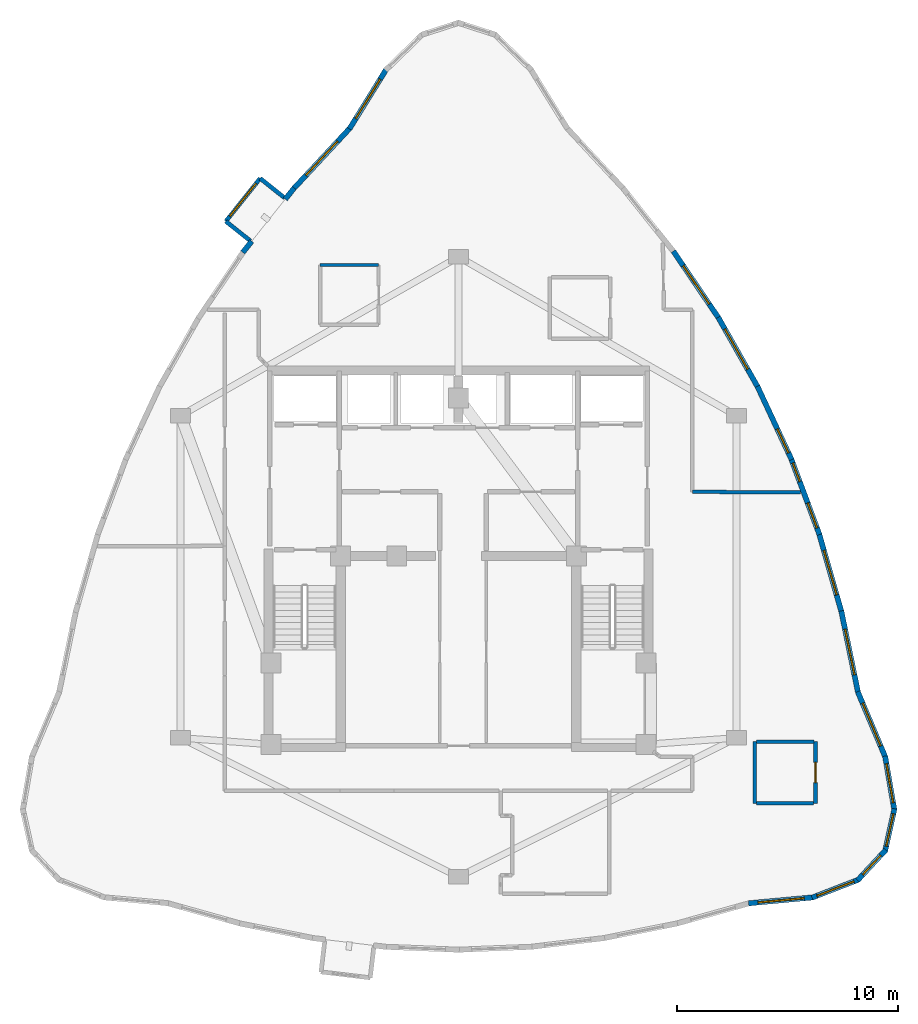
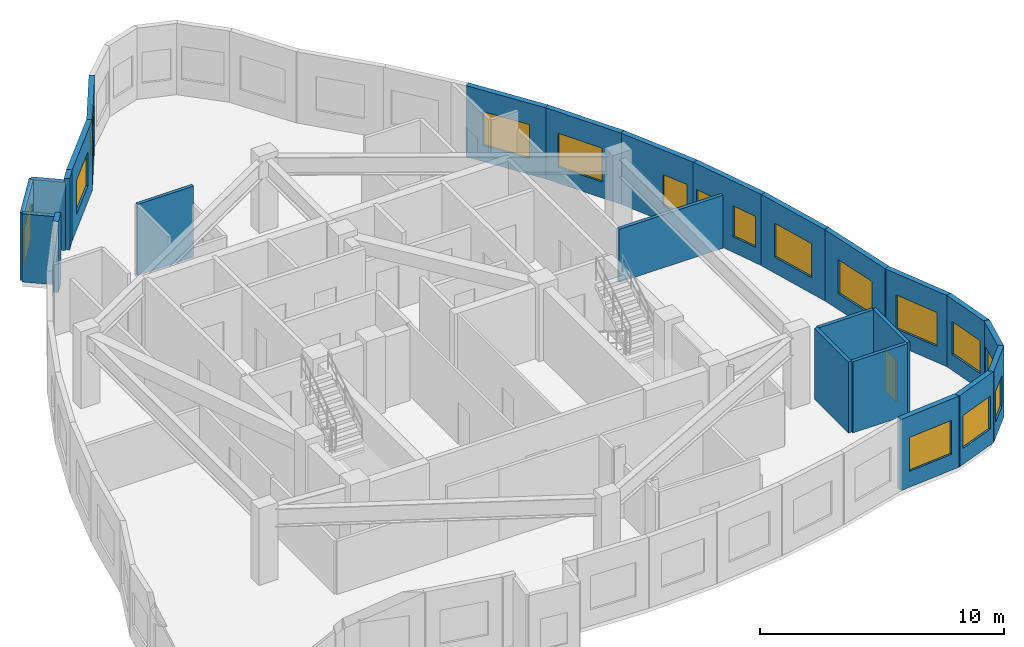
# One storey, part 7 of 9: 25 walls, 16 windows, 1 door, 17 openings.
"""IFC4 building model written with IfcOpenShell, lengths in metres."""

from ifc_helpers import new_model, si_unit, direction, frame, frame_2d, origin, place, context, subcontext, project, spatial, rectangle, extrude, material, layer, layer_set, type_object, element, fill, save


model = new_model("IFC4")

# Units and contexts
model_context = context("Model", 3, precision=1e-05, world=origin(), true_north=direction((0.0, 1.0)))
body_context = subcontext(model_context, "Body", "Model", "MODEL_VIEW")
ifc_project = project(units=[si_unit("LENGTHUNIT", "METRE"), si_unit("AREAUNIT", "SQUARE_METRE"), si_unit("VOLUMEUNIT", "CUBIC_METRE"), si_unit("PLANEANGLEUNIT", "RADIAN"), si_unit("MASSUNIT", "GRAM", prefix="KILO")], contexts=[model_context])

# Site, building, storey
site_placement = place(None, origin())
site = spatial("IfcSite", under=ifc_project, at=site_placement, CompositionType="ELEMENT")
building_placement = place(site_placement, origin())
building = spatial("IfcBuilding", under=site, at=building_placement, Name="Miruveldt Soraemaru", CompositionType="ELEMENT")
storey_placement = place(building_placement, frame((0.0, 0.0, 275.10009765625)))
storey = spatial("IfcBuildingStorey", under=building, at=storey_placement, Name="L75", CompositionType="ELEMENT", Elevation=275.10009765625)

# Walls
ifc_material_1 = material(Name="White powder-coated aluminium EN AW-6060 T6", Category="aluminium")
ifc_layer_1 = layer(ifc_material_1, 0.18994140625, Name="White powder-coated aluminium EN AW-6060 T6", Category="aluminium")
ifc_layer_set_1 = layer_set([ifc_layer_1], Name="White powder-coated aluminium EN AW-6060 T6")
wall_type_1 = type_object("IfcWallType", Name="WALL-BAY-ALU190", PredefinedType="SOLIDWALL", material=ifc_layer_set_1)
wall_1_placement = place(storey_placement, frame((36.12109375, 60.27392578125, 0.0), z_axis=(0.0, 0.0, 1.0), x_axis=(-0.781737193764, 0.623608017817, 0.0)))
element("IfcWall", 1, at=wall_1_placement, inside=storey, type_object=wall_type_1, Name="L75 Bay Window Side Cheek 2L", PredefinedType="SOLIDWALL", context=body_context, shape_type="SweptSolid", body=[
    extrude(rectangle(XDim=1.425048828125, YDim=0.18994140625, at=frame_2d((0.71240234375, 0.0))), origin(), (0.0, 0.0, 1.0), 3.414794921875),
])
wall_2_placement = place(storey_placement, frame((33.451904296875, 59.212890625, 0.0), z_axis=(0.0, 0.0, 1.0), x_axis=(0.781820714191, -0.623503304611, 0.0)))
element("IfcWall", 2, at=wall_2_placement, inside=storey, type_object=wall_type_1, Name="L75 Bay Window Side Cheek 2R", PredefinedType="SOLIDWALL", context=body_context, shape_type="SweptSolid", body=[
    extrude(rectangle(XDim=1.4248046875, YDim=0.18994140625, at=frame_2d((0.71240234375, 0.0))), origin(), (0.0, 0.0, 1.0), 3.414794921875),
])

# Wall, opening, window
wall_3_placement = place(storey_placement, frame((35.007080078125, 61.16259765625, 0.0), z_axis=(0.0, 0.0, 1.0), x_axis=(-0.623572225568, -0.781765744645, 0.0)))
wall_3 = element("IfcWall", 3, at=wall_3_placement, inside=storey, type_object=wall_type_1, Name="L75 Bay Window Front Frame 2", PredefinedType="SOLIDWALL", context=body_context, shape_type="SweptSolid", body=[
    extrude(rectangle(XDim=2.493896484375, YDim=0.18994140625, at=frame_2d((1.2470703125, 0.0))), origin(), (0.0, 0.0, 1.0), 3.414794921875),
])
opening_1_placement = place(wall_3_placement, frame((0.297119140625, 0.0, 0.550048828125)))
opening_1 = element("IfcOpeningElement", 4, at=opening_1_placement, cuts=wall_3, Name="Opening WN-6", PredefinedType="OPENING", context=body_context, shape_type="SweptSolid", body=[
    extrude(rectangle(XDim=1.89990234375, YDim=1.85009765625, at=frame_2d((0.949951171875, 0.925048828125))), frame((0.0, 0.10498046875, 0.0), z_axis=(0.0, -1.0, 0.0), x_axis=(1.0, 0.0, 0.0)), (0.0, 0.0, 1.0), 0.2099609375),
])
ifc_material_2 = material(Name="Triple low-e insulated glazing", Category="glass")
window_type_1 = type_object("IfcWindowType", Name="WIN-BAYW-1900x1850", PartitioningType="SINGLE_PANEL", PredefinedType="WINDOW", material=ifc_material_2)
window_1_placement = place(opening_1_placement, origin())
window_1 = element("IfcWindow", 5, at=window_1_placement, inside=storey, type_object=window_type_1, Name="L75 Projecting Bay Window 2", OverallHeight=1.85009765625, OverallWidth=1.89990234375, PartitioningType="SINGLE_PANEL", PredefinedType="WINDOW", context=body_context, shape_type="SweptSolid", body=[
    extrude(rectangle(XDim=1.89990234375, YDim=1.85009765625, at=frame_2d((0.949951171875, 0.925048828125))), frame((0.0, 0.030029296875, 0.0), z_axis=(0.0, -1.0, 0.0), x_axis=(1.0, 0.0, 0.0)), (0.0, 0.0, 1.0), 0.06005859375),
])
fill(opening_1, window_1)

ifc_material_3 = material(Name="Precast concrete C45/55 (45 MPa)", Category="concrete")
ifc_layer_2 = layer(ifc_material_3, 0.239990234375, Name="Precast concrete C45/55 (45 MPa)", Category="concrete")
ifc_layer_set_2 = layer_set([ifc_layer_2], Name="Precast concrete C45/55 (45 MPa)")
wall_type_2 = type_object("IfcWallType", Name="WALL-EXT-PC240", PredefinedType="SOLIDWALL", material=ifc_layer_set_2)
wall_4_placement = place(storey_placement, frame((40.7333984375, 66.1181640625, 0.0), z_axis=(0.0, 0.0, 1.0), x_axis=(-0.526033358662, -0.850463935493, 0.0)))
wall_4 = element("IfcWall", 6, at=wall_4_placement, inside=storey, type_object=wall_type_2, Name="L75 Precast Concrete Facade Wall 6", PredefinedType="SOLIDWALL", context=body_context, shape_type="SweptSolid", body=[
    extrude(rectangle(XDim=3.192138671875, YDim=0.239990234375, at=frame_2d((1.59619140625, 0.0))), origin(), (0.0, 0.0, 1.0), 3.56494140625),
])
opening_2_placement = place(wall_4_placement, frame((0.5458984375, 0.0, 0.800048828125)))
opening_2 = element("IfcOpeningElement", 7, at=opening_2_placement, cuts=wall_4, Name="Opening WN-1", PredefinedType="OPENING", context=body_context, shape_type="SweptSolid", body=[
    extrude(rectangle(XDim=2.10009765625, YDim=1.699951171875, at=frame_2d((1.050048828125, 0.85009765625))), frame((0.0, 0.1298828125, 0.0), z_axis=(0.0, -1.0, 0.0), x_axis=(1.0, 0.0, 0.0)), (0.0, 0.0, 1.0), 0.260009765625),
])
window_type_2 = type_object("IfcWindowType", Name="WIN-PUNCH-2100x1700", PartitioningType="SINGLE_PANEL", PredefinedType="WINDOW", material=ifc_material_2)
window_2_placement = place(opening_2_placement, origin())
window_2 = element("IfcWindow", 8, at=window_2_placement, inside=storey, type_object=window_type_2, Name="L75 Punched Triple-Glazed Window 06.1", OverallHeight=1.699951171875, OverallWidth=2.10009765625, PartitioningType="SINGLE_PANEL", PredefinedType="WINDOW", context=body_context, shape_type="SweptSolid", body=[
    extrude(rectangle(XDim=2.10009765625, YDim=1.699951171875, at=frame_2d((1.050048828125, 0.85009765625))), frame((0.0, 0.030029296875, 0.0), z_axis=(0.0, -1.0, 0.0), x_axis=(1.0, 0.0, 0.0)), (0.0, 0.0, 1.0), 0.06005859375),
])
fill(opening_2, window_2)

wall_5_placement = place(storey_placement, frame((39.09619140625, 63.458740234375, 0.0), z_axis=(0.0, 0.0, 1.0), x_axis=(-0.680869467251, -0.732404784642, 0.0)))
wall_5 = element("IfcWall", 9, at=wall_5_placement, inside=storey, type_object=wall_type_2, Name="L75 Precast Concrete Facade Wall 7", PredefinedType="SOLIDWALL", context=body_context, shape_type="SweptSolid", body=[
    extrude(rectangle(XDim=3.80419921875, YDim=0.239990234375, at=frame_2d((1.902099609375, 0.0))), origin(), (0.0, 0.0, 1.0), 3.56494140625),
])
opening_3_placement = place(wall_5_placement, frame((0.85205078125, 0.0, 0.800048828125)))
opening_3 = element("IfcOpeningElement", 10, at=opening_3_placement, cuts=wall_5, Name="Opening WN-1", PredefinedType="OPENING", context=body_context, shape_type="SweptSolid", body=[
    extrude(rectangle(XDim=2.10009765625, YDim=1.699951171875, at=frame_2d((1.050048828125, 0.85009765625))), frame((0.0, 0.1298828125, 0.0), z_axis=(0.0, -1.0, 0.0), x_axis=(1.0, 0.0, 0.0)), (0.0, 0.0, 1.0), 0.260009765625),
])
window_3_placement = place(opening_3_placement, origin())
window_3 = element("IfcWindow", 11, at=window_3_placement, inside=storey, type_object=window_type_2, Name="L75 Punched Triple-Glazed Window 07.1", OverallHeight=1.699951171875, OverallWidth=2.10009765625, PartitioningType="SINGLE_PANEL", PredefinedType="WINDOW", context=body_context, shape_type="SweptSolid", body=[
    extrude(rectangle(XDim=2.10009765625, YDim=1.699951171875, at=frame_2d((1.050048828125, 0.85009765625))), frame((0.0, 0.030029296875, 0.0), z_axis=(0.0, -1.0, 0.0), x_axis=(1.0, 0.0, 0.0)), (0.0, 0.0, 1.0), 0.06005859375),
])
fill(opening_3, window_3)

# Walls
wall_6_placement = place(storey_placement, frame((36.5517578125, 60.7255859375, 0.0), z_axis=(0.0, 0.0, 1.0), x_axis=(-0.623597578122, -0.781745521612, 0.0)))
element("IfcWall", 12, at=wall_6_placement, inside=storey, type_object=wall_type_2, Name="L75 Precast Pier Wall 8A", PredefinedType="SOLIDWALL", context=body_context, shape_type="SweptSolid", body=[
    extrude(rectangle(XDim=0.6513671875, YDim=0.239990234375, at=frame_2d((0.32568359375, 0.0))), origin(), (0.0, 0.0, 1.0), 3.56494140625),
])
wall_7_placement = place(storey_placement, frame((34.62744140625, 58.313720703125, 0.0), z_axis=(0.0, 0.0, 1.0), x_axis=(-0.62341492203, -0.781891191273, 0.0)))
element("IfcWall", 13, at=wall_7_placement, inside=storey, type_object=wall_type_2, Name="L75 Precast Pier Wall 8B", PredefinedType="SOLIDWALL", context=body_context, shape_type="SweptSolid", body=[
    extrude(rectangle(XDim=0.651611328125, YDim=0.239990234375, at=frame_2d((0.32568359375, 0.0))), origin(), (0.0, 0.0, 1.0), 3.56494140625),
])

# Wall, opening, window
wall_8_placement = place(storey_placement, frame((57.146484375, 28.30078125, 0.0), z_axis=(0.0, 0.0, 1.0), x_axis=(0.995760165167, 0.091987463637, 0.0)))
wall_8 = element("IfcWall", 14, at=wall_8_placement, inside=storey, type_object=wall_type_2, Name="L75 Precast Concrete Facade Wall 29", PredefinedType="SOLIDWALL", context=body_context, shape_type="SweptSolid", body=[
    extrude(rectangle(XDim=2.95654296875, YDim=0.239990234375, at=frame_2d((1.478271484375, 0.0))), origin(), (0.0, 0.0, 1.0), 3.56494140625),
])
opening_4_placement = place(wall_8_placement, frame((0.428955078125, 0.0, 0.800048828125)))
opening_4 = element("IfcOpeningElement", 15, at=opening_4_placement, cuts=wall_8, Name="Opening WN-1", PredefinedType="OPENING", context=body_context, shape_type="SweptSolid", body=[
    extrude(rectangle(XDim=2.10009765625, YDim=1.699951171875, at=frame_2d((1.050048828125, 0.85009765625))), frame((0.0, 0.1298828125, 0.0), z_axis=(0.0, -1.0, 0.0), x_axis=(1.0, 0.0, 0.0)), (0.0, 0.0, 1.0), 0.260009765625),
])
window_4_placement = place(opening_4_placement, origin())
window_4 = element("IfcWindow", 16, at=window_4_placement, inside=storey, type_object=window_type_2, Name="L75 Punched Triple-Glazed Window 29.1", OverallHeight=1.699951171875, OverallWidth=2.10009765625, PartitioningType="SINGLE_PANEL", PredefinedType="WINDOW", context=body_context, shape_type="SweptSolid", body=[
    extrude(rectangle(XDim=2.10009765625, YDim=1.699951171875, at=frame_2d((1.050048828125, 0.85009765625))), frame((0.0, 0.030029296875, 0.0), z_axis=(0.0, -1.0, 0.0), x_axis=(1.0, 0.0, 0.0)), (0.0, 0.0, 1.0), 0.06005859375),
])
fill(opening_4, window_4)

wall_9_placement = place(storey_placement, frame((60.023193359375, 28.556884765625, 0.0), z_axis=(0.0, 0.0, 1.0), x_axis=(0.932258526096, 0.361792814358, 0.0)))
wall_9 = element("IfcWall", 17, at=wall_9_placement, inside=storey, type_object=wall_type_2, Name="L75 Precast Concrete Facade Wall 30", PredefinedType="SOLIDWALL", context=body_context, shape_type="SweptSolid", body=[
    extrude(rectangle(XDim=2.27197265625, YDim=0.239990234375, at=frame_2d((1.135986328125, 0.0))), origin(), (0.0, 0.0, 1.0), 3.56494140625),
])
opening_5_placement = place(wall_9_placement, frame((0.236083984375, 0.0, 0.800048828125)))
opening_5 = element("IfcOpeningElement", 18, at=opening_5_placement, cuts=wall_9, Name="Opening WN-2", PredefinedType="OPENING", context=body_context, shape_type="SweptSolid", body=[
    extrude(rectangle(XDim=1.800048828125, YDim=1.64990234375, at=frame_2d((0.89990234375, 0.824951171875))), frame((0.0, 0.1298828125, 0.0), z_axis=(0.0, -1.0, 0.0), x_axis=(1.0, 0.0, 0.0)), (0.0, 0.0, 1.0), 0.260009765625),
])
window_type_3 = type_object("IfcWindowType", Name="WIN-PUNCH-1800x1650", PartitioningType="SINGLE_PANEL", PredefinedType="WINDOW", material=ifc_material_2)
window_5_placement = place(opening_5_placement, origin())
window_5 = element("IfcWindow", 19, at=window_5_placement, inside=storey, type_object=window_type_3, Name="L75 Punched Triple-Glazed Window 30.1", OverallHeight=1.64990234375, OverallWidth=1.800048828125, PartitioningType="SINGLE_PANEL", PredefinedType="WINDOW", context=body_context, shape_type="SweptSolid", body=[
    extrude(rectangle(XDim=1.800048828125, YDim=1.64990234375, at=frame_2d((0.89990234375, 0.824951171875))), frame((0.0, 0.030029296875, 0.0), z_axis=(0.0, -1.0, 0.0), x_axis=(1.0, 0.0, 0.0)), (0.0, 0.0, 1.0), 0.06005859375),
])
fill(opening_5, window_5)

wall_10_placement = place(storey_placement, frame((62.0849609375, 29.34033203125, 0.0), z_axis=(0.0, 0.0, 1.0), x_axis=(0.680137449919, 0.733084612591, 0.0)))
wall_10 = element("IfcWall", 20, at=wall_10_placement, inside=storey, type_object=wall_type_2, Name="L75 Precast Concrete Facade Wall 31", PredefinedType="SOLIDWALL", context=body_context, shape_type="SweptSolid", body=[
    extrude(rectangle(XDim=1.88134765625, YDim=0.239990234375, at=frame_2d((0.940673828125, 0.0))), origin(), (0.0, 0.0, 1.0), 3.56494140625),
])
opening_6_placement = place(wall_10_placement, frame((0.341064453125, 0.0, 0.780029296875)))
opening_6 = element("IfcOpeningElement", 21, at=opening_6_placement, cuts=wall_10, Name="Opening WN-4", PredefinedType="OPENING", context=body_context, shape_type="SweptSolid", body=[
    extrude(rectangle(XDim=1.199951171875, YDim=1.550048828125, at=frame_2d((0.60009765625, 0.77490234375))), frame((0.0, 0.1298828125, 0.0), z_axis=(0.0, -1.0, 0.0), x_axis=(1.0, 0.0, 0.0)), (0.0, 0.0, 1.0), 0.260009765625),
])
window_type_4 = type_object("IfcWindowType", Name="WIN-PUNCH-1200x1550", PartitioningType="SINGLE_PANEL", PredefinedType="WINDOW", material=ifc_material_2)
window_6_placement = place(opening_6_placement, origin())
window_6 = element("IfcWindow", 22, at=window_6_placement, inside=storey, type_object=window_type_4, Name="L75 Punched Triple-Glazed Window 31.1", OverallHeight=1.550048828125, OverallWidth=1.199951171875, PartitioningType="SINGLE_PANEL", PredefinedType="WINDOW", context=body_context, shape_type="SweptSolid", body=[
    extrude(rectangle(XDim=1.199951171875, YDim=1.550048828125, at=frame_2d((0.60009765625, 0.77490234375))), frame((0.0, 0.030029296875, 0.0), z_axis=(0.0, -1.0, 0.0), x_axis=(1.0, 0.0, 0.0)), (0.0, 0.0, 1.0), 0.06005859375),
])
fill(opening_6, window_6)

wall_11_placement = place(storey_placement, frame((63.3330078125, 30.659423828125, 0.0), z_axis=(0.0, 0.0, 1.0), x_axis=(0.215751409711, 0.97644832388, 0.0)))
wall_11 = element("IfcWall", 23, at=wall_11_placement, inside=storey, type_object=wall_type_2, Name="L75 Precast Concrete Facade Wall 32", PredefinedType="SOLIDWALL", context=body_context, shape_type="SweptSolid", body=[
    extrude(rectangle(XDim=1.973388671875, YDim=0.239990234375, at=frame_2d((0.98681640625, 0.0))), origin(), (0.0, 0.0, 1.0), 3.56494140625),
])
opening_7_placement = place(wall_11_placement, frame((0.236083984375, 0.0, 0.800048828125)))
opening_7 = element("IfcOpeningElement", 24, at=opening_7_placement, cuts=wall_11, Name="Opening WN-3", PredefinedType="OPENING", context=body_context, shape_type="SweptSolid", body=[
    extrude(rectangle(XDim=1.5, YDim=1.60009765625, at=frame_2d((0.75, 0.800048828125))), frame((0.0, 0.1298828125, 0.0), z_axis=(0.0, -1.0, 0.0), x_axis=(1.0, 0.0, 0.0)), (0.0, 0.0, 1.0), 0.260009765625),
])
window_type_5 = type_object("IfcWindowType", Name="WIN-PUNCH-1500x1600", PartitioningType="SINGLE_PANEL", PredefinedType="WINDOW", material=ifc_material_2)
window_7_placement = place(opening_7_placement, origin())
window_7 = element("IfcWindow", 25, at=window_7_placement, inside=storey, type_object=window_type_5, Name="L75 Punched Triple-Glazed Window 32.1", OverallHeight=1.60009765625, OverallWidth=1.5, PartitioningType="SINGLE_PANEL", PredefinedType="WINDOW", context=body_context, shape_type="SweptSolid", body=[
    extrude(rectangle(XDim=1.5, YDim=1.60009765625, at=frame_2d((0.75, 0.800048828125))), frame((0.0, 0.030029296875, 0.0), z_axis=(0.0, -1.0, 0.0), x_axis=(1.0, 0.0, 0.0)), (0.0, 0.0, 1.0), 0.06005859375),
])
fill(opening_7, window_7)

wall_12_placement = place(storey_placement, frame((63.757080078125, 32.517822265625, 0.0), z_axis=(0.0, 0.0, 1.0), x_axis=(-0.169300616876, 0.985564458128, 0.0)))
wall_12 = element("IfcWall", 26, at=wall_12_placement, inside=storey, type_object=wall_type_2, Name="L75 Precast Concrete Facade Wall 33", PredefinedType="SOLIDWALL", context=body_context, shape_type="SweptSolid", body=[
    extrude(rectangle(XDim=2.494873046875, YDim=0.239990234375, at=frame_2d((1.24755859375, 0.0))), origin(), (0.0, 0.0, 1.0), 3.56494140625),
])
opening_8_placement = place(wall_12_placement, frame((0.347900390625, 0.0, 0.800048828125)))
opening_8 = element("IfcOpeningElement", 27, at=opening_8_placement, cuts=wall_12, Name="Opening WN-2", PredefinedType="OPENING", context=body_context, shape_type="SweptSolid", body=[
    extrude(rectangle(XDim=1.800048828125, YDim=1.64990234375, at=frame_2d((0.89990234375, 0.824951171875))), frame((0.0, 0.1298828125, 0.0), z_axis=(0.0, -1.0, 0.0), x_axis=(1.0, 0.0, 0.0)), (0.0, 0.0, 1.0), 0.260009765625),
])
window_8_placement = place(opening_8_placement, origin())
window_8 = element("IfcWindow", 28, at=window_8_placement, inside=storey, type_object=window_type_3, Name="L75 Punched Triple-Glazed Window 33.1", OverallHeight=1.64990234375, OverallWidth=1.800048828125, PartitioningType="SINGLE_PANEL", PredefinedType="WINDOW", context=body_context, shape_type="SweptSolid", body=[
    extrude(rectangle(XDim=1.800048828125, YDim=1.64990234375, at=frame_2d((0.89990234375, 0.824951171875))), frame((0.0, 0.030029296875, 0.0), z_axis=(0.0, -1.0, 0.0), x_axis=(1.0, 0.0, 0.0)), (0.0, 0.0, 1.0), 0.06005859375),
])
fill(opening_8, window_8)

wall_13_placement = place(storey_placement, frame((63.354248046875, 34.909912109375, 0.0), z_axis=(0.0, 0.0, 1.0), x_axis=(-0.388619539303, 0.921398314342, 0.0)))
wall_13 = element("IfcWall", 29, at=wall_13_placement, inside=storey, type_object=wall_type_2, Name="L75 Precast Concrete Facade Wall 34", PredefinedType="SOLIDWALL", context=body_context, shape_type="SweptSolid", body=[
    extrude(rectangle(XDim=3.23974609375, YDim=0.239990234375, at=frame_2d((1.619873046875, 0.0))), origin(), (0.0, 0.0, 1.0), 3.56494140625),
])
opening_9_placement = place(wall_13_placement, frame((0.570068359375, 0.0, 0.800048828125)))
opening_9 = element("IfcOpeningElement", 30, at=opening_9_placement, cuts=wall_13, Name="Opening WN-1", PredefinedType="OPENING", context=body_context, shape_type="SweptSolid", body=[
    extrude(rectangle(XDim=2.10009765625, YDim=1.699951171875, at=frame_2d((1.050048828125, 0.85009765625))), frame((0.0, 0.1298828125, 0.0), z_axis=(0.0, -1.0, 0.0), x_axis=(1.0, 0.0, 0.0)), (0.0, 0.0, 1.0), 0.260009765625),
])
window_9_placement = place(opening_9_placement, origin())
window_9 = element("IfcWindow", 31, at=window_9_placement, inside=storey, type_object=window_type_2, Name="L75 Punched Triple-Glazed Window 34.1", OverallHeight=1.699951171875, OverallWidth=2.10009765625, PartitioningType="SINGLE_PANEL", PredefinedType="WINDOW", context=body_context, shape_type="SweptSolid", body=[
    extrude(rectangle(XDim=2.10009765625, YDim=1.699951171875, at=frame_2d((1.050048828125, 0.85009765625))), frame((0.0, 0.030029296875, 0.0), z_axis=(0.0, -1.0, 0.0), x_axis=(1.0, 0.0, 0.0)), (0.0, 0.0, 1.0), 0.06005859375),
])
fill(opening_9, window_9)

wall_14_placement = place(storey_placement, frame((62.115966796875, 37.82861328125, 0.0), z_axis=(0.0, 0.0, 1.0), x_axis=(-0.201580487796, 0.979471953116, 0.0)))
wall_14 = element("IfcWall", 32, at=wall_14_placement, inside=storey, type_object=wall_type_2, Name="L75 Precast Concrete Facade Wall 35", PredefinedType="SOLIDWALL", context=body_context, shape_type="SweptSolid", body=[
    extrude(rectangle(XDim=3.80419921875, YDim=0.239990234375, at=frame_2d((1.902099609375, 0.0))), origin(), (0.0, 0.0, 1.0), 3.56494140625),
])
opening_10_placement = place(wall_14_placement, frame((0.85205078125, 0.0, 0.800048828125)))
opening_10 = element("IfcOpeningElement", 33, at=opening_10_placement, cuts=wall_14, Name="Opening WN-1", PredefinedType="OPENING", context=body_context, shape_type="SweptSolid", body=[
    extrude(rectangle(XDim=2.10009765625, YDim=1.699951171875, at=frame_2d((1.050048828125, 0.85009765625))), frame((0.0, 0.1298828125, 0.0), z_axis=(0.0, -1.0, 0.0), x_axis=(1.0, 0.0, 0.0)), (0.0, 0.0, 1.0), 0.260009765625),
])
window_10_placement = place(opening_10_placement, origin())
window_10 = element("IfcWindow", 34, at=window_10_placement, inside=storey, type_object=window_type_2, Name="L75 Punched Triple-Glazed Window 35.1", OverallHeight=1.699951171875, OverallWidth=2.10009765625, PartitioningType="SINGLE_PANEL", PredefinedType="WINDOW", context=body_context, shape_type="SweptSolid", body=[
    extrude(rectangle(XDim=2.10009765625, YDim=1.699951171875, at=frame_2d((1.050048828125, 0.85009765625))), frame((0.0, 0.030029296875, 0.0), z_axis=(0.0, -1.0, 0.0), x_axis=(1.0, 0.0, 0.0)), (0.0, 0.0, 1.0), 0.06005859375),
])
fill(opening_10, window_10)

wall_15_placement = place(storey_placement, frame((61.36572265625, 41.48681640625, 0.0), z_axis=(0.0, 0.0, 1.0), x_axis=(-0.274954072222, 0.961457361597, 0.0)))
wall_15 = element("IfcWall", 35, at=wall_15_placement, inside=storey, type_object=wall_type_2, Name="L75 Precast Concrete Facade Wall 36", PredefinedType="SOLIDWALL", context=body_context, shape_type="SweptSolid", body=[
    extrude(rectangle(XDim=3.7373046875, YDim=0.239990234375, at=frame_2d((1.86865234375, 0.0))), origin(), (0.0, 0.0, 1.0), 3.56494140625),
])
opening_11_placement = place(wall_15_placement, frame((0.819091796875, 0.0, 0.800048828125)))
opening_11 = element("IfcOpeningElement", 36, at=opening_11_placement, cuts=wall_15, Name="Opening WN-1", PredefinedType="OPENING", context=body_context, shape_type="SweptSolid", body=[
    extrude(rectangle(XDim=2.10009765625, YDim=1.699951171875, at=frame_2d((1.050048828125, 0.85009765625))), frame((0.0, 0.1298828125, 0.0), z_axis=(0.0, -1.0, 0.0), x_axis=(1.0, 0.0, 0.0)), (0.0, 0.0, 1.0), 0.260009765625),
])
window_11_placement = place(opening_11_placement, origin())
window_11 = element("IfcWindow", 37, at=window_11_placement, inside=storey, type_object=window_type_2, Name="L75 Punched Triple-Glazed Window 36.1", OverallHeight=1.699951171875, OverallWidth=2.10009765625, PartitioningType="SINGLE_PANEL", PredefinedType="WINDOW", context=body_context, shape_type="SweptSolid", body=[
    extrude(rectangle(XDim=2.10009765625, YDim=1.699951171875, at=frame_2d((1.050048828125, 0.85009765625))), frame((0.0, 0.030029296875, 0.0), z_axis=(0.0, -1.0, 0.0), x_axis=(1.0, 0.0, 0.0)), (0.0, 0.0, 1.0), 0.06005859375),
])
fill(opening_11, window_11)

# Wall, openings, windows
wall_16_placement = place(storey_placement, frame((60.35986328125, 45.013427734375, 0.0), z_axis=(0.0, 0.0, 1.0), x_axis=(-0.349028180334, 0.937112228782, 0.0)))
wall_16 = element("IfcWall", 38, at=wall_16_placement, inside=storey, type_object=wall_type_2, Name="L75 Precast Concrete Facade Wall 37", PredefinedType="SOLIDWALL", context=body_context, shape_type="SweptSolid", body=[
    extrude(rectangle(XDim=3.69189453125, YDim=0.239990234375, at=frame_2d((1.845947265625, 0.0))), origin(), (0.0, 0.0, 1.0), 3.56494140625),
])
opening_12_placement = place(wall_16_placement, frame((0.327880859375, 0.0, 0.780029296875)))
opening_12 = element("IfcOpeningElement", 39, at=opening_12_placement, cuts=wall_16, Name="Opening WN-4", PredefinedType="OPENING", context=body_context, shape_type="SweptSolid", body=[
    extrude(rectangle(XDim=1.199951171875, YDim=1.550048828125, at=frame_2d((0.60009765625, 0.77490234375))), frame((0.0, 0.1298828125, 0.0), z_axis=(0.0, -1.0, 0.0), x_axis=(1.0, 0.0, 0.0)), (0.0, 0.0, 1.0), 0.260009765625),
])
opening_13_placement = place(wall_16_placement, frame((2.56396484375, 0.0, 0.780029296875)))
opening_13 = element("IfcOpeningElement", 40, at=opening_13_placement, cuts=wall_16, Name="Opening WN-7", PredefinedType="OPENING", context=body_context, shape_type="SweptSolid", body=[
    extrude(rectangle(XDim=0.89990234375, YDim=1.5, at=frame_2d((0.449951171875, 0.75))), frame((0.0, 0.1298828125, 0.0), z_axis=(0.0, -1.0, 0.0), x_axis=(1.0, 0.0, 0.0)), (0.0, 0.0, 1.0), 0.260009765625),
])
window_12_placement = place(opening_12_placement, origin())
window_12 = element("IfcWindow", 41, at=window_12_placement, inside=storey, type_object=window_type_4, Name="L75 Punched Triple-Glazed Window 37.1", OverallHeight=1.550048828125, OverallWidth=1.199951171875, PartitioningType="SINGLE_PANEL", PredefinedType="WINDOW", context=body_context, shape_type="SweptSolid", body=[
    extrude(rectangle(XDim=1.199951171875, YDim=1.550048828125, at=frame_2d((0.60009765625, 0.77490234375))), frame((0.0, 0.030029296875, 0.0), z_axis=(0.0, -1.0, 0.0), x_axis=(1.0, 0.0, 0.0)), (0.0, 0.0, 1.0), 0.06005859375),
])
fill(opening_12, window_12)
window_type_6 = type_object("IfcWindowType", Name="WIN-PUNCH-900x1500", PartitioningType="SINGLE_PANEL", PredefinedType="WINDOW", material=ifc_material_2)
window_13_placement = place(opening_13_placement, origin())
window_13 = element("IfcWindow", 42, at=window_13_placement, inside=storey, type_object=window_type_6, Name="L75 Punched Triple-Glazed Window 37.2", OverallHeight=1.5, OverallWidth=0.89990234375, PartitioningType="SINGLE_PANEL", PredefinedType="WINDOW", context=body_context, shape_type="SweptSolid", body=[
    extrude(rectangle(XDim=0.89990234375, YDim=1.5, at=frame_2d((0.449951171875, 0.75))), frame((0.0, 0.030029296875, 0.0), z_axis=(0.0, -1.0, 0.0), x_axis=(1.0, 0.0, 0.0)), (0.0, 0.0, 1.0), 0.06005859375),
])
fill(opening_13, window_13)

# Wall, opening, window
wall_17_placement = place(storey_placement, frame((59.098388671875, 48.40869140625, 0.0), z_axis=(0.0, 0.0, 1.0), x_axis=(-0.422313408589, 0.906449879986, 0.0)))
wall_17 = element("IfcWall", 43, at=wall_17_placement, inside=storey, type_object=wall_type_2, Name="L75 Precast Concrete Facade Wall 38", PredefinedType="SOLIDWALL", context=body_context, shape_type="SweptSolid", body=[
    extrude(rectangle(XDim=3.668701171875, YDim=0.239990234375, at=frame_2d((1.83447265625, 0.0))), origin(), (0.0, 0.0, 1.0), 3.56494140625),
])
opening_14_placement = place(wall_17_placement, frame((0.344970703125, 0.0, 0.780029296875)))
opening_14 = element("IfcOpeningElement", 44, at=opening_14_placement, cuts=wall_17, Name="Opening WN-4", PredefinedType="OPENING", context=body_context, shape_type="SweptSolid", body=[
    extrude(rectangle(XDim=1.199951171875, YDim=1.550048828125, at=frame_2d((0.60009765625, 0.77490234375))), frame((0.0, 0.1298828125, 0.0), z_axis=(0.0, -1.0, 0.0), x_axis=(1.0, 0.0, 0.0)), (0.0, 0.0, 1.0), 0.260009765625),
])
window_14_placement = place(opening_14_placement, origin())
window_14 = element("IfcWindow", 45, at=window_14_placement, inside=storey, type_object=window_type_4, Name="L75 Punched Triple-Glazed Window 38.1", OverallHeight=1.550048828125, OverallWidth=1.199951171875, PartitioningType="SINGLE_PANEL", PredefinedType="WINDOW", context=body_context, shape_type="SweptSolid", body=[
    extrude(rectangle(XDim=1.199951171875, YDim=1.550048828125, at=frame_2d((0.60009765625, 0.77490234375))), frame((0.0, 0.030029296875, 0.0), z_axis=(0.0, -1.0, 0.0), x_axis=(1.0, 0.0, 0.0)), (0.0, 0.0, 1.0), 0.06005859375),
])
fill(opening_14, window_14)

wall_18_placement = place(storey_placement, frame((57.5810546875, 51.672119140625, 0.0), z_axis=(0.0, 0.0, 1.0), x_axis=(-0.493370164744, 0.869819452841, 0.0)))
wall_18 = element("IfcWall", 46, at=wall_18_placement, inside=storey, type_object=wall_type_2, Name="L75 Precast Concrete Facade Wall 39", PredefinedType="SOLIDWALL", context=body_context, shape_type="SweptSolid", body=[
    extrude(rectangle(XDim=3.668701171875, YDim=0.239990234375, at=frame_2d((1.83447265625, 0.0))), origin(), (0.0, 0.0, 1.0), 3.56494140625),
])
opening_15_placement = place(wall_18_placement, frame((0.9580078125, 0.0, 0.800048828125)))
opening_15 = element("IfcOpeningElement", 47, at=opening_15_placement, cuts=wall_18, Name="Opening WN-1", PredefinedType="OPENING", context=body_context, shape_type="SweptSolid", body=[
    extrude(rectangle(XDim=2.10009765625, YDim=1.699951171875, at=frame_2d((1.050048828125, 0.85009765625))), frame((0.0, 0.1298828125, 0.0), z_axis=(0.0, -1.0, 0.0), x_axis=(1.0, 0.0, 0.0)), (0.0, 0.0, 1.0), 0.260009765625),
])
window_15_placement = place(opening_15_placement, origin())
window_15 = element("IfcWindow", 48, at=window_15_placement, inside=storey, type_object=window_type_2, Name="L75 Punched Triple-Glazed Window 39.1", OverallHeight=1.699951171875, OverallWidth=2.10009765625, PartitioningType="SINGLE_PANEL", PredefinedType="WINDOW", context=body_context, shape_type="SweptSolid", body=[
    extrude(rectangle(XDim=2.10009765625, YDim=1.699951171875, at=frame_2d((1.050048828125, 0.85009765625))), frame((0.0, 0.030029296875, 0.0), z_axis=(0.0, -1.0, 0.0), x_axis=(1.0, 0.0, 0.0)), (0.0, 0.0, 1.0), 0.06005859375),
])
fill(opening_15, window_15)

wall_19_placement = place(storey_placement, frame((55.807861328125, 54.803955078125, 0.0), z_axis=(0.0, 0.0, 1.0), x_axis=(-0.560834985452, 0.827927604983, 0.0)))
wall_19 = element("IfcWall", 49, at=wall_19_placement, inside=storey, type_object=wall_type_2, Name="L75 Precast Concrete Facade Wall 40", PredefinedType="SOLIDWALL", context=body_context, shape_type="SweptSolid", body=[
    extrude(rectangle(XDim=3.69189453125, YDim=0.239990234375, at=frame_2d((1.845947265625, 0.0))), origin(), (0.0, 0.0, 1.0), 3.56494140625),
])
opening_16_placement = place(wall_19_placement, frame((0.7958984375, 0.0, 0.800048828125)))
opening_16 = element("IfcOpeningElement", 50, at=opening_16_placement, cuts=wall_19, Name="Opening WN-1", PredefinedType="OPENING", context=body_context, shape_type="SweptSolid", body=[
    extrude(rectangle(XDim=2.10009765625, YDim=1.699951171875, at=frame_2d((1.050048828125, 0.85009765625))), frame((0.0, 0.1298828125, 0.0), z_axis=(0.0, -1.0, 0.0), x_axis=(1.0, 0.0, 0.0)), (0.0, 0.0, 1.0), 0.260009765625),
])
window_16_placement = place(opening_16_placement, origin())
window_16 = element("IfcWindow", 51, at=window_16_placement, inside=storey, type_object=window_type_2, Name="L75 Punched Triple-Glazed Window 40.1", OverallHeight=1.699951171875, OverallWidth=2.10009765625, PartitioningType="SINGLE_PANEL", PredefinedType="WINDOW", context=body_context, shape_type="SweptSolid", body=[
    extrude(rectangle(XDim=2.10009765625, YDim=1.699951171875, at=frame_2d((1.050048828125, 0.85009765625))), frame((0.0, 0.030029296875, 0.0), z_axis=(0.0, -1.0, 0.0), x_axis=(1.0, 0.0, 0.0)), (0.0, 0.0, 1.0), 0.06005859375),
])
fill(opening_16, window_16)

# Wall
ifc_material_4 = material(Name="Gypsum plasterboard lining", Category="gypsum")
ifc_layer_3 = layer(ifc_material_4, 0.14990234375, Name="Gypsum plasterboard lining", Category="gypsum")
ifc_layer_set_3 = layer_set([ifc_layer_3], Name="Gypsum plasterboard lining")
wall_type_3 = type_object("IfcWallType", Name="WALL-INT-PLUMB", PredefinedType="PLUMBINGWALL", material=ifc_layer_set_3)
wall_20_placement = place(storey_placement, frame((40.376953125, 57.22998046875, 0.0), z_axis=(0.0, 0.0, 1.0), x_axis=(-1.0, 0.0, 0.0)))
element("IfcWall", 52, at=wall_20_placement, inside=storey, type_object=wall_type_3, Name="L75 Partition Wall 14", PredefinedType="PLUMBINGWALL", context=body_context, shape_type="SweptSolid", body=[
    extrude(rectangle(XDim=2.64990234375, YDim=0.14990234375, at=frame_2d((1.324951171875, 0.0))), origin(), (0.0, 0.0, 1.0), 3.56494140625),
])

# Wall, opening, door
ifc_material_5 = material(Name="Concrete C40/50 (40 MPa)", Category="concrete")
ifc_layer_4 = layer(ifc_material_5, 0.159912109375, Name="Concrete C40/50 (40 MPa)", Category="concrete")
ifc_layer_set_4 = layer_set([ifc_layer_4], Name="Concrete C40/50 (40 MPa)")
wall_type_4 = type_object("IfcWallType", Name="WALL-INT-RC160", PredefinedType="SOLIDWALL", material=ifc_layer_set_4)
wall_21_placement = place(storey_placement, frame((60.179931640625, 32.826904296875, 0.0), z_axis=(0.0, 0.0, 1.0), x_axis=(0.0, 1.0, 0.0)))
wall_21 = element("IfcWall", 53, at=wall_21_placement, inside=storey, type_object=wall_type_4, Name="L75 Partition Wall 23", PredefinedType="SOLIDWALL", context=body_context, shape_type="SweptSolid", body=[
    extrude(rectangle(XDim=2.800048828125, YDim=0.159912109375, at=frame_2d((1.39990234375, 0.0))), origin(), (0.0, 0.0, 1.0), 3.56494140625),
])
opening_17_placement = place(wall_21_placement, frame((0.93994140625, 0.0, 0.0)))
opening_17 = element("IfcOpeningElement", 54, at=opening_17_placement, cuts=wall_21, Name="Opening D3A", PredefinedType="OPENING", context=body_context, shape_type="SweptSolid", body=[
    extrude(rectangle(XDim=0.919921875, YDim=2.10009765625, at=frame_2d((0.4599609375, 1.050048828125))), frame((0.0, 0.08984375, 0.0), z_axis=(0.0, -1.0, 0.0), x_axis=(1.0, 0.0, 0.0)), (0.0, 0.0, 1.0), 0.179931640625),
])
ifc_material_6 = material(Name="Anodised aluminium EN AW-6063 T6", Category="aluminium")
door_type = type_object("IfcDoorType", Name="DOOR-INT-920", OperationType="NOTDEFINED", PredefinedType="DOOR", material=ifc_material_6)
door_placement = place(opening_17_placement, origin())
door = element("IfcDoor", 55, at=door_placement, inside=storey, type_object=door_type, Name="L75 Unit 7503 KIT Door", OperationType="SINGLE_SWING_RIGHT", OverallHeight=2.10009765625, OverallWidth=0.919921875, PredefinedType="DOOR", context=body_context, shape_type="SweptSolid", body=[
    extrude(rectangle(XDim=0.919921875, YDim=2.10009765625, at=frame_2d((0.4599609375, 1.050048828125))), frame((0.0, 0.02490234375, 0.0), z_axis=(0.0, -1.0, 0.0), x_axis=(1.0, 0.0, 0.0)), (0.0, 0.0, 1.0), 0.050048828125),
])
fill(opening_17, door)

# Walls
wall_22_placement = place(storey_placement, frame((59.501953125, 46.930908203125, 0.0), z_axis=(0.0, 0.0, 1.0), x_axis=(-0.999992454059, 0.003884819774, 0.0)))
element("IfcWall", 56, at=wall_22_placement, inside=storey, type_object=wall_type_4, Name="L75 Partition Wall 31", PredefinedType="SOLIDWALL", context=body_context, shape_type="SweptSolid", body=[
    extrude(rectangle(XDim=4.90185546875, YDim=0.159912109375, at=frame_2d((2.450927734375, 0.0))), origin(), (0.0, 0.0, 1.0), 2.65283203125),
])
wall_23_placement = place(storey_placement, frame((57.429931640625, 35.626953125, 0.0), z_axis=(0.0, 0.0, 1.0), x_axis=(0.0, -1.0, 0.0)))
element("IfcWall", 57, at=wall_23_placement, inside=storey, type_object=wall_type_4, Name="L75 Partition Wall 25", PredefinedType="SOLIDWALL", context=body_context, shape_type="SweptSolid", body=[
    extrude(rectangle(XDim=2.800048828125, YDim=0.159912109375, at=frame_2d((1.39990234375, 0.0))), origin(), (0.0, 0.0, 1.0), 3.56494140625),
])
for number, where, z_axis, x_axis, name in (
    (58, (60.10009765625, 35.626953125, 0.0), (0.0, 0.0, 1.0), (-1.0, 0.0, 0.0), "L75 Partition Wall 24"),
    (59, (57.510009765625, 32.826904296875, 0.0), (0.0, 0.0, 1.0), (1.0, 0.0, 0.0), "L75 Partition Wall 26"),
):
    element("IfcWall", number, at=place(storey_placement, frame(where, z_axis=z_axis, x_axis=x_axis)), inside=storey, type_object=wall_type_4, Name=name, PredefinedType="SOLIDWALL", context=body_context, shape_type="SweptSolid", body=[
        extrude(rectangle(XDim=2.590087890625, YDim=0.159912109375, at=frame_2d((1.294921875, 0.0))), origin(), (0.0, 0.0, 1.0), 3.56494140625),
    ])

save(model, "model.ifc")
